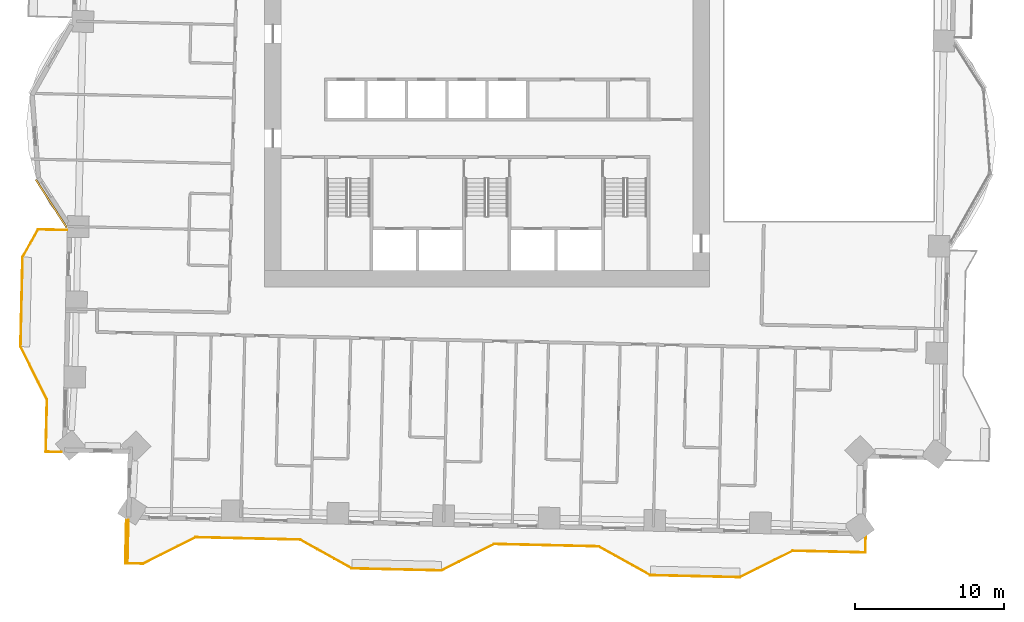
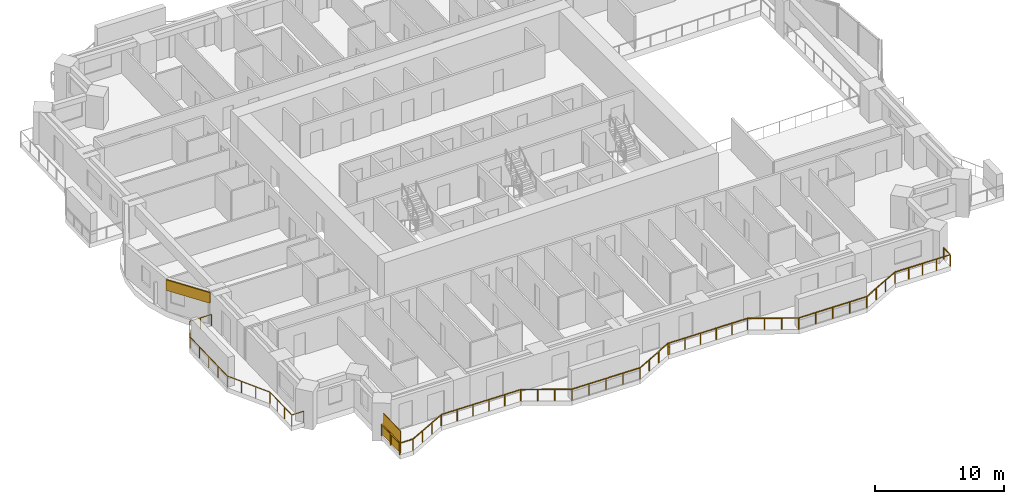
# One storey, part 14 of 18: 2 railings, 1 covering, 1 shading device.
"""IFC4 building model written with IfcOpenShell, lengths in metres."""

import ifcopenshell
import ifcopenshell.guid

model = None  # the IFC model being written
_history = None  # IfcOwnerHistory: only IFC2X3 demands one
_inside = {}  # id of a spatial element -> (the spatial element, [elements in it])
_under = {}  # id of a project, library or spatial element -> (it, [spatial elements below it])
_declared = {}  # id of a project -> (the project, [libraries it declares])
_typed = {}  # id of a type object -> (the type object, [elements of that type])
_made_of = {}  # id of a material, layer set ... -> (it, [elements and type objects made of it])


def new_model(schema):
    """Start an empty IFC model of exactly this schema.

    Asked for "IFC4X3", IfcOpenShell would pick the latest addendum, in which some entities
    have other attributes; the version numbers below select the first issue.
    IFC2X3 requires an IfcOwnerHistory on every rooted entity: one is made here for all.
    """
    global model, _history
    if schema == "IFC4X3":
        model = ifcopenshell.file(schema_version=(4, 3, 0, 0))
    else:
        model = ifcopenshell.file(schema=schema)
    _inside.clear()
    _under.clear()
    _declared.clear()
    _typed.clear()
    _made_of.clear()
    _history = None
    if model.schema == "IFC2X3":
        org = make("IfcOrganization", Name="unknown")
        user = make(
            "IfcPersonAndOrganization",
            ThePerson=make("IfcPerson", FamilyName="unknown"),
            TheOrganization=org,
        )
        app = make(
            "IfcApplication",
            ApplicationDeveloper=org,
            Version="unknown",
            ApplicationFullName="unknown",
            ApplicationIdentifier="unknown",
        )
        _history = make(
            "IfcOwnerHistory",
            OwningUser=user,
            OwningApplication=app,
            ChangeAction="ADDED",
            CreationDate=0,
        )
    return model


def make(cls, **values):
    """One entity of the class cls with the attributes given. An attribute that is None is left unset."""
    return model.create_entity(
        cls, **{name: value for name, value in values.items() if value is not None}
    )


def rooted(cls, **values):
    """An entity with a GlobalId (a new one), such as an element, a storey or a relation."""
    return make(cls, GlobalId=ifcopenshell.guid.new(), OwnerHistory=_history, **values)


def si_unit(unit_type, name, prefix=None):
    """IfcSIUnit, for example si_unit("LENGTHUNIT", "METRE", prefix="MILLI")."""
    return make("IfcSIUnit", UnitType=unit_type, Prefix=prefix, Name=name)


def assignment(units):
    """IfcUnitAssignment: the units of a project."""
    return None if units is None else make("IfcUnitAssignment", Units=units)


def point(xyz):
    """IfcCartesianPoint."""
    return None if xyz is None else make("IfcCartesianPoint", Coordinates=xyz)


def direction(xyz):
    """IfcDirection."""
    return None if xyz is None else make("IfcDirection", DirectionRatios=xyz)


def frame(location, z_axis=None, x_axis=None):
    """IfcAxis2Placement3D, a coordinate frame: its origin and axes. An axis left out is left unset."""
    return make(
        "IfcAxis2Placement3D",
        Location=point(location),
        Axis=direction(z_axis),
        RefDirection=direction(x_axis),
    )


def frame_2d(location, x_axis=None):
    """IfcAxis2Placement2D, a coordinate frame in the plane: its origin and x axis."""
    return make(
        "IfcAxis2Placement2D", Location=point(location), RefDirection=direction(x_axis)
    )


def origin():
    """The frame at (0, 0, 0) with its axes left unset."""
    return frame((0.0, 0.0, 0.0))


def origin_2d():
    """The frame at (0, 0) in the plane with its x axis left unset."""
    return frame_2d((0.0, 0.0))


def place(relative_to, where):
    """IfcLocalPlacement: puts the frame where relative to a parent placement (None: the world)."""
    return make(
        "IfcLocalPlacement", PlacementRelTo=relative_to, RelativePlacement=where
    )


def context(
    kind, dimensions, precision=None, world=None, true_north=None, identifier=None
):
    """IfcGeometricRepresentationContext, for example the 3D "Model" context."""
    return make(
        "IfcGeometricRepresentationContext",
        ContextIdentifier=identifier,
        ContextType=kind,
        CoordinateSpaceDimension=dimensions,
        Precision=precision,
        WorldCoordinateSystem=world,
        TrueNorth=true_north,
    )


def subcontext(parent, identifier, kind, view, scale=None):
    """IfcGeometricRepresentationSubContext, for example "Body" below "Model"."""
    return make(
        "IfcGeometricRepresentationSubContext",
        ContextIdentifier=identifier,
        ContextType=kind,
        ParentContext=parent,
        TargetScale=scale,
        TargetView=view,
    )


def project(units=None, contexts=None):
    """IfcProject with its units and contexts."""
    return rooted(
        "IfcProject",
        Name="project",
        RepresentationContexts=contexts,
        UnitsInContext=assignment(units),
    )


def spatial(cls, under=None, at=None, **own):
    """A site, building, storey or space (cls), placed at a placement, below another one or the project."""
    s = rooted(cls, ObjectPlacement=at, **own)
    if under is not None:
        _under.setdefault(under.id(), (under, []))[1].append(s)
    return s


def profile(cls, at=None, kind="AREA", **sizes):
    """A parametric profile (cls). Its sizes go by their IFC names, for example OverallWidth=200.0."""
    return make(cls, ProfileType=kind, Position=at, **sizes)


def rectangle(**sizes):
    """IfcRectangleProfileDef."""
    return profile("IfcRectangleProfileDef", **sizes)


def extrude(swept, where, along, depth):
    """IfcExtrudedAreaSolid: the profile swept, set in the frame where, extruded along a direction by depth."""
    return make(
        "IfcExtrudedAreaSolid",
        SweptArea=swept,
        Position=where,
        ExtrudedDirection=direction(along),
        Depth=depth,
    )


def shape(context_of_items, identifier, shape_type, items):
    """IfcShapeRepresentation: the items that make up one representation, for example the "Body"."""
    return make(
        "IfcShapeRepresentation",
        ContextOfItems=context_of_items,
        RepresentationIdentifier=identifier,
        RepresentationType=shape_type,
        Items=items,
    )


def material(Name=None, Category=None):
    """IfcMaterial."""
    return make("IfcMaterial", Name=Name, Category=Category)


def layer(
    of_material, thickness, ventilated=None, Name=None, Category=None, Priority=None
):
    """IfcMaterialLayer: one layer of a wall or slab, of a material (None: an air gap)."""
    return make(
        "IfcMaterialLayer",
        Material=of_material,
        LayerThickness=thickness,
        IsVentilated=ventilated,
        Name=Name,
        Category=Category,
        Priority=Priority,
    )


def layer_set(layers, Name=None):
    """IfcMaterialLayerSet."""
    return make("IfcMaterialLayerSet", MaterialLayers=layers, LayerSetName=Name)


def made_of(thing, what):
    """Note that an element or type object is made of a material, layer set ...; save() writes the relation."""
    if what is not None:
        _made_of.setdefault(what.id(), (what, []))[1].append(thing)
    return thing


def type_object(cls, material=None, **own):
    """A type object (cls), such as IfcWallType, which elements share."""
    return made_of(rooted(cls, **own), material)


def element(
    cls,
    number,
    at=None,
    inside=None,
    cuts=None,
    type_object=None,
    material=None,
    context=None,
    identifier="Body",
    shape_type=None,
    held_by="IfcProductDefinitionShape",
    body=None,
    shapes=None,
    **own,
):
    """One element of the class cls, such as IfcWall. Its Tag is "e" and its number.

    at: its placement. inside: the storey or other place that contains it. cuts: it is an
    opening in that element (IfcRelVoidsElement). A single representation is given by context,
    identifier, shape_type and body (its items); several are given by shapes. held_by: the class
    of the entity that holds the representations. save() writes the other relations.
    """
    e = rooted(cls, Tag="e%d" % number, ObjectPlacement=at, **own)
    if body is not None:
        shapes = [shape(context, identifier, shape_type, body)]
    if shapes is not None:
        e.Representation = make(held_by, Representations=shapes)
    if inside is not None:
        _inside.setdefault(inside.id(), (inside, []))[1].append(e)
    if cuts is not None:
        rooted(
            "IfcRelVoidsElement", RelatingBuildingElement=cuts, RelatedOpeningElement=e
        )
    if type_object is not None:
        _typed.setdefault(type_object.id(), (type_object, []))[1].append(e)
    return made_of(e, material)


def aggregate(whole, parts):
    """IfcRelAggregates: a whole, such as a stair, and the parts it consists of."""
    return rooted("IfcRelAggregates", RelatingObject=whole, RelatedObjects=parts)


def save(model, path):
    """Write the relations noted so far, then the file.

    IfcRelAggregates (storeys below a building ...), IfcRelContainedInSpatialStructure (elements
    in a storey), IfcRelDefinesByType, IfcRelAssociatesMaterial and IfcRelDeclares: one each for
    every whole, place, type object, material and project.
    """
    for whole, parts in _under.values():
        aggregate(whole, parts)
    for where, things in _inside.values():
        rooted(
            "IfcRelContainedInSpatialStructure",
            RelatedElements=things,
            RelatingStructure=where,
        )
    for kind, things in _typed.values():
        rooted("IfcRelDefinesByType", RelatedObjects=things, RelatingType=kind)
    for what, things in _made_of.values():
        rooted("IfcRelAssociatesMaterial", RelatedObjects=things, RelatingMaterial=what)
    for by, libraries in _declared.values():
        rooted("IfcRelDeclares", RelatingContext=by, RelatedDefinitions=libraries)
    model.write(path)


model = new_model("IFC4")

# Units and contexts
model_context = context("Model", 3, precision=1e-05, world=origin(), true_north=direction((0.0, 1.0)))
body_context = subcontext(model_context, "Body", "Model", "MODEL_VIEW")
ifc_project = project(units=[si_unit("LENGTHUNIT", "METRE"), si_unit("AREAUNIT", "SQUARE_METRE"), si_unit("VOLUMEUNIT", "CUBIC_METRE"), si_unit("PLANEANGLEUNIT", "RADIAN"), si_unit("MASSUNIT", "GRAM", prefix="KILO")], contexts=[model_context])

# Site, building, storey
site_placement = place(None, origin())
site = spatial("IfcSite", under=ifc_project, at=site_placement, CompositionType="ELEMENT")
building_placement = place(site_placement, origin())
building = spatial("IfcBuilding", under=site, at=building_placement, Name="Mangrove Gate Tower", CompositionType="ELEMENT")
storey_placement = place(building_placement, frame((0.0, 0.0, 71.10009765625)))
storey = spatial("IfcBuildingStorey", under=building, at=storey_placement, Name="L17", CompositionType="ELEMENT", Elevation=71.10009765625)

# Railings
ifc_material_1 = material(Name="Stainless steel grade 316 with laminated glass infill", Category="steel")
railing_type = type_object("IfcRailingType", Name="Balcony guard 1100", PredefinedType="GUARDRAIL", material=ifc_material_1)
railing_1_placement = place(storey_placement, frame((-28.162109375, -8.10205078125, 0.0)))
element("IfcRailing", 1, at=railing_1_placement, inside=storey, type_object=railing_type, Name="GUARD L17 W2", PredefinedType="GUARDRAIL", context=body_context, shape_type="SweptSolid", body=[
    extrude(rectangle(XDim=0.048095703125, YDim=0.048095703125, at=origin_2d()), frame((0.0, 0.0, 1.076171875), z_axis=(-0.999737880615, 0.022894760625, 0.0), x_axis=(-0.022894760625, -0.999737880615, 0.0)), (0.0, 0.0, 1.0), 1.91943359375),
    extrude(rectangle(XDim=0.048095703125, YDim=0.048095703125, at=origin_2d()), frame((-1.9189453125, 0.0439453125, 1.076171875), z_axis=(-0.487147690962, -0.873319601973, 0.0), x_axis=(0.873319601973, -0.487147690962, 0.0)), (0.0, 0.0, 1.0), 2.120361328125),
    extrude(rectangle(XDim=0.048095703125, YDim=0.048095703125, at=origin_2d()), frame((-2.951904296875, -1.807861328125, 1.076171875), z_axis=(-0.022665943652, -0.999743094499, 0.0), x_axis=(0.999743094499, -0.022665943652, 0.0)), (0.0, 0.0, 1.0), 5.99951171875),
    extrude(rectangle(XDim=0.048095703125, YDim=0.048095703125, at=origin_2d()), frame((-3.087890625, -7.805908203125, 1.076171875), z_axis=(0.447016280881, -0.894525821107, 0.0), x_axis=(0.894525821107, 0.447016280881, 0.0)), (0.0, 0.0, 1.0), 3.959716796875),
    extrude(rectangle(XDim=0.048095703125, YDim=0.048095703125, at=origin_2d()), frame((-1.31787109375, -11.347900390625, 1.076171875), z_axis=(-0.022600979566, -0.999744565238, 0.0), x_axis=(0.999744565238, -0.022600979566, 0.0)), (0.0, 0.0, 1.0), 3.5),
    extrude(rectangle(XDim=0.048095703125, YDim=0.048095703125, at=origin_2d()), frame((-1.39697265625, -14.846923828125, 1.076171875), z_axis=(0.999744919731, -0.022585293253, 0.0), x_axis=(0.022585293253, 0.999744919731, 0.0)), (0.0, 0.0, 1.0), 1.059326171875),
    extrude(rectangle(XDim=0.0419921875, YDim=0.0419921875, at=origin_2d()), origin(), (0.0, 0.0, 1.0), 1.052001953125),
    extrude(rectangle(XDim=0.0419921875, YDim=0.0419921875, at=origin_2d()), frame((-0.95947265625, 0.02197265625, 0.0)), (0.0, 0.0, 1.0), 1.052001953125),
    extrude(rectangle(XDim=0.0419921875, YDim=0.0419921875, at=origin_2d()), frame((-1.9189453125, 0.0439453125, 0.0)), (0.0, 0.0, 1.0), 1.052001953125),
    extrude(rectangle(XDim=0.0419921875, YDim=0.0419921875, at=origin_2d()), frame((-2.435546875, -0.8818359375, 0.0)), (0.0, 0.0, 1.0), 1.052001953125),
    extrude(rectangle(XDim=0.0419921875, YDim=0.0419921875, at=origin_2d()), frame((-2.951904296875, -1.807861328125, 0.0)), (0.0, 0.0, 1.0), 1.052001953125),
    extrude(rectangle(XDim=0.0419921875, YDim=0.0419921875, at=origin_2d()), frame((-2.98583984375, -3.307373046875, 0.0)), (0.0, 0.0, 1.0), 1.052001953125),
    extrude(rectangle(XDim=0.0419921875, YDim=0.0419921875, at=origin_2d()), frame((-3.02001953125, -4.806884765625, 0.0)), (0.0, 0.0, 1.0), 1.052001953125),
    extrude(rectangle(XDim=0.0419921875, YDim=0.0419921875, at=origin_2d()), frame((-3.053955078125, -6.306396484375, 0.0)), (0.0, 0.0, 1.0), 1.052001953125),
    extrude(rectangle(XDim=0.0419921875, YDim=0.0419921875, at=origin_2d()), frame((-3.087890625, -7.805908203125, 0.0)), (0.0, 0.0, 1.0), 1.052001953125),
    extrude(rectangle(XDim=0.0419921875, YDim=0.0419921875, at=origin_2d()), frame((-2.497802734375, -8.986572265625, 0.0)), (0.0, 0.0, 1.0), 1.052001953125),
    extrude(rectangle(XDim=0.0419921875, YDim=0.0419921875, at=origin_2d()), frame((-1.907958984375, -10.167236328125, 0.0)), (0.0, 0.0, 1.0), 1.052001953125),
    extrude(rectangle(XDim=0.0419921875, YDim=0.0419921875, at=origin_2d()), frame((-1.31787109375, -11.347900390625, 0.0)), (0.0, 0.0, 1.0), 1.052001953125),
    extrude(rectangle(XDim=0.0419921875, YDim=0.0419921875, at=origin_2d()), frame((-1.34423828125, -12.51416015625, 0.0)), (0.0, 0.0, 1.0), 1.052001953125),
    extrude(rectangle(XDim=0.0419921875, YDim=0.0419921875, at=origin_2d()), frame((-1.37060546875, -13.6806640625, 0.0)), (0.0, 0.0, 1.0), 1.052001953125),
    extrude(rectangle(XDim=0.0419921875, YDim=0.0419921875, at=origin_2d()), frame((-1.39697265625, -14.846923828125, 0.0)), (0.0, 0.0, 1.0), 1.052001953125),
    extrude(rectangle(XDim=0.0419921875, YDim=0.0419921875, at=origin_2d()), frame((-0.337890625, -14.870849609375, 0.0)), (0.0, 0.0, 1.0), 1.052001953125),
])
railing_2_placement = place(storey_placement, frame((-24.160888671875, -27.511962890625, 0.0)))
element("IfcRailing", 2, at=railing_2_placement, inside=storey, type_object=railing_type, Name="GUARD L17 S1", PredefinedType="GUARDRAIL", context=body_context, shape_type="SweptSolid", body=[
    extrude(rectangle(XDim=0.048095703125, YDim=0.048095703125, at=origin_2d()), frame((0.0, 0.0, 1.076171875), z_axis=(-0.022738559105, -0.99974144554, 0.0), x_axis=(0.99974144554, -0.022738559105, 0.0)), (0.0, 0.0, 1.0), 2.90966796875),
    extrude(rectangle(XDim=0.048095703125, YDim=0.048095703125, at=origin_2d()), frame((-0.066162109375, -2.908935546875, 1.076171875), z_axis=(0.999730483991, -0.023215498687, 0.0), x_axis=(0.023215498687, 0.999730483991, 0.0)), (0.0, 0.0, 1.0), 1.167236328125),
    extrude(rectangle(XDim=0.048095703125, YDim=0.048095703125, at=origin_2d()), frame((1.100830078125, -2.93603515625, 1.076171875), z_axis=(0.894476522376, 0.447114919141, 0.0), x_axis=(-0.447114919141, 0.894476522376, 0.0)), (0.0, 0.0, 1.0), 3.958740234375),
    extrude(rectangle(XDim=0.048095703125, YDim=0.048095703125, at=origin_2d()), frame((4.641845703125, -1.166015625, 1.076171875), z_axis=(0.999742267452, -0.022702393474, 0.0), x_axis=(0.022702393474, 0.999742267452, 0.0)), (0.0, 0.0, 1.0), 7.000732421875),
    extrude(rectangle(XDim=0.048095703125, YDim=0.048095703125, at=origin_2d()), frame((11.640869140625, -1.324951171875, 1.076171875), z_axis=(0.873230657876, -0.487307108654, 0.0), x_axis=(0.487307108654, 0.873230657876, 0.0)), (0.0, 0.0, 1.0), 3.958984375),
    extrude(rectangle(XDim=0.048095703125, YDim=0.048095703125, at=origin_2d()), frame((15.097900390625, -3.254150390625, 1.076171875), z_axis=(0.999743094499, -0.022665943652, 0.0), x_axis=(0.022665943652, 0.999743094499, 0.0)), (0.0, 0.0, 1.0), 5.99951171875),
    extrude(rectangle(XDim=0.048095703125, YDim=0.048095703125, at=origin_2d()), frame((21.095947265625, -3.39013671875, 1.076171875), z_axis=(0.894476522376, 0.447114919141, 0.0), x_axis=(-0.447114919141, 0.894476522376, 0.0)), (0.0, 0.0, 1.0), 3.958740234375),
    extrude(rectangle(XDim=0.048095703125, YDim=0.048095703125, at=origin_2d()), frame((24.636962890625, -1.6201171875, 1.076171875), z_axis=(0.999808759986, -0.019556161565, 0.0), x_axis=(0.019556161565, 0.999808759986, 0.0)), (0.0, 0.0, 1.0), 0.099853515625),
    extrude(rectangle(XDim=0.048095703125, YDim=0.048095703125, at=origin_2d()), frame((24.73681640625, -1.6220703125, 1.076171875), z_axis=(0.999744440732, -0.022606486345, 0.0), x_axis=(0.022606486345, 0.999744440732, 0.0)), (0.0, 0.0, 1.0), 6.90087890625),
    extrude(rectangle(XDim=0.048095703125, YDim=0.048095703125, at=origin_2d()), frame((31.635986328125, -1.778076171875, 1.076171875), z_axis=(0.873242256246, -0.487286324359, 0.0), x_axis=(0.487286324359, 0.873242256246, 0.0)), (0.0, 0.0, 1.0), 3.95849609375),
    extrude(rectangle(XDim=0.048095703125, YDim=0.048095703125, at=origin_2d()), frame((35.0927734375, -3.70703125, 1.076171875), z_axis=(0.999743094499, -0.022665943652, 0.0), x_axis=(0.022665943652, 0.999743094499, 0.0)), (0.0, 0.0, 1.0), 5.99951171875),
    extrude(rectangle(XDim=0.048095703125, YDim=0.048095703125, at=origin_2d()), frame((41.0908203125, -3.843017578125, 1.076171875), z_axis=(0.894476522376, 0.447114919141, 0.0), x_axis=(-0.447114919141, 0.894476522376, 0.0)), (0.0, 0.0, 1.0), 3.958740234375),
    extrude(rectangle(XDim=0.048095703125, YDim=0.048095703125, at=origin_2d()), frame((44.6318359375, -2.072998046875, 1.076171875), z_axis=(0.99973963016, -0.022818235853, 0.0), x_axis=(0.022818235853, 0.99973963016, 0.0)), (0.0, 0.0, 1.0), 4.8681640625),
    extrude(rectangle(XDim=0.048095703125, YDim=0.048095703125, at=origin_2d()), frame((49.498779296875, -2.18408203125, 1.076171875), z_axis=(0.022794628443, 0.999740168701, 0.0), x_axis=(-0.999740168701, 0.022794628443, 0.0)), (0.0, 0.0, 1.0), 1.060302734375),
    extrude(rectangle(XDim=0.0419921875, YDim=0.0419921875, at=origin_2d()), origin(), (0.0, 0.0, 1.0), 1.052001953125),
    extrude(rectangle(XDim=0.0419921875, YDim=0.0419921875, at=origin_2d()), frame((-0.033203125, -1.45458984375, 0.0)), (0.0, 0.0, 1.0), 1.052001953125),
    extrude(rectangle(XDim=0.0419921875, YDim=0.0419921875, at=origin_2d()), frame((-0.066162109375, -2.908935546875, 0.0)), (0.0, 0.0, 1.0), 1.052001953125),
    extrude(rectangle(XDim=0.0419921875, YDim=0.0419921875, at=origin_2d()), frame((1.100830078125, -2.93603515625, 0.0)), (0.0, 0.0, 1.0), 1.052001953125),
    extrude(rectangle(XDim=0.0419921875, YDim=0.0419921875, at=origin_2d()), frame((2.28125, -2.345947265625, 0.0)), (0.0, 0.0, 1.0), 1.052001953125),
    extrude(rectangle(XDim=0.0419921875, YDim=0.0419921875, at=origin_2d()), frame((3.46142578125, -1.756103515625, 0.0)), (0.0, 0.0, 1.0), 1.052001953125),
    extrude(rectangle(XDim=0.0419921875, YDim=0.0419921875, at=origin_2d()), frame((4.641845703125, -1.166015625, 0.0)), (0.0, 0.0, 1.0), 1.052001953125),
    extrude(rectangle(XDim=0.0419921875, YDim=0.0419921875, at=origin_2d()), frame((6.041748046875, -1.19775390625, 0.0)), (0.0, 0.0, 1.0), 1.052001953125),
    extrude(rectangle(XDim=0.0419921875, YDim=0.0419921875, at=origin_2d()), frame((7.44140625, -1.2294921875, 0.0)), (0.0, 0.0, 1.0), 1.052001953125),
    extrude(rectangle(XDim=0.0419921875, YDim=0.0419921875, at=origin_2d()), frame((8.84130859375, -1.261474609375, 0.0)), (0.0, 0.0, 1.0), 1.052001953125),
    extrude(rectangle(XDim=0.0419921875, YDim=0.0419921875, at=origin_2d()), frame((10.240966796875, -1.293212890625, 0.0)), (0.0, 0.0, 1.0), 1.052001953125),
    extrude(rectangle(XDim=0.0419921875, YDim=0.0419921875, at=origin_2d()), frame((11.640869140625, -1.324951171875, 0.0)), (0.0, 0.0, 1.0), 1.052001953125),
    extrude(rectangle(XDim=0.0419921875, YDim=0.0419921875, at=origin_2d()), frame((12.793212890625, -1.968017578125, 0.0)), (0.0, 0.0, 1.0), 1.052001953125),
    extrude(rectangle(XDim=0.0419921875, YDim=0.0419921875, at=origin_2d()), frame((13.945556640625, -2.611083984375, 0.0)), (0.0, 0.0, 1.0), 1.052001953125),
    extrude(rectangle(XDim=0.0419921875, YDim=0.0419921875, at=origin_2d()), frame((15.097900390625, -3.254150390625, 0.0)), (0.0, 0.0, 1.0), 1.052001953125),
    extrude(rectangle(XDim=0.0419921875, YDim=0.0419921875, at=origin_2d()), frame((16.597412109375, -3.2880859375, 0.0)), (0.0, 0.0, 1.0), 1.052001953125),
    extrude(rectangle(XDim=0.0419921875, YDim=0.0419921875, at=origin_2d()), frame((18.096923828125, -3.322265625, 0.0)), (0.0, 0.0, 1.0), 1.052001953125),
    extrude(rectangle(XDim=0.0419921875, YDim=0.0419921875, at=origin_2d()), frame((19.596435546875, -3.356201171875, 0.0)), (0.0, 0.0, 1.0), 1.052001953125),
    extrude(rectangle(XDim=0.0419921875, YDim=0.0419921875, at=origin_2d()), frame((21.095947265625, -3.39013671875, 0.0)), (0.0, 0.0, 1.0), 1.052001953125),
    extrude(rectangle(XDim=0.0419921875, YDim=0.0419921875, at=origin_2d()), frame((22.2763671875, -2.800048828125, 0.0)), (0.0, 0.0, 1.0), 1.052001953125),
    extrude(rectangle(XDim=0.0419921875, YDim=0.0419921875, at=origin_2d()), frame((23.45654296875, -2.210205078125, 0.0)), (0.0, 0.0, 1.0), 1.052001953125),
    extrude(rectangle(XDim=0.0419921875, YDim=0.0419921875, at=origin_2d()), frame((24.636962890625, -1.6201171875, 0.0)), (0.0, 0.0, 1.0), 1.052001953125),
    extrude(rectangle(XDim=0.0419921875, YDim=0.0419921875, at=origin_2d()), frame((24.73681640625, -1.6220703125, 0.0)), (0.0, 0.0, 1.0), 1.052001953125),
    extrude(rectangle(XDim=0.0419921875, YDim=0.0419921875, at=origin_2d()), frame((26.11669921875, -1.6533203125, 0.0)), (0.0, 0.0, 1.0), 1.052001953125),
    extrude(rectangle(XDim=0.0419921875, YDim=0.0419921875, at=origin_2d()), frame((27.49658203125, -1.6845703125, 0.0)), (0.0, 0.0, 1.0), 1.052001953125),
    extrude(rectangle(XDim=0.0419921875, YDim=0.0419921875, at=origin_2d()), frame((28.876220703125, -1.715576171875, 0.0)), (0.0, 0.0, 1.0), 1.052001953125),
    extrude(rectangle(XDim=0.0419921875, YDim=0.0419921875, at=origin_2d()), frame((30.256103515625, -1.746826171875, 0.0)), (0.0, 0.0, 1.0), 1.052001953125),
    extrude(rectangle(XDim=0.0419921875, YDim=0.0419921875, at=origin_2d()), frame((31.635986328125, -1.778076171875, 0.0)), (0.0, 0.0, 1.0), 1.052001953125),
    extrude(rectangle(XDim=0.0419921875, YDim=0.0419921875, at=origin_2d()), frame((32.788330078125, -2.421142578125, 0.0)), (0.0, 0.0, 1.0), 1.052001953125),
    extrude(rectangle(XDim=0.0419921875, YDim=0.0419921875, at=origin_2d()), frame((33.9404296875, -3.06396484375, 0.0)), (0.0, 0.0, 1.0), 1.052001953125),
    extrude(rectangle(XDim=0.0419921875, YDim=0.0419921875, at=origin_2d()), frame((35.0927734375, -3.70703125, 0.0)), (0.0, 0.0, 1.0), 1.052001953125),
    extrude(rectangle(XDim=0.0419921875, YDim=0.0419921875, at=origin_2d()), frame((36.59228515625, -3.740966796875, 0.0)), (0.0, 0.0, 1.0), 1.052001953125),
    extrude(rectangle(XDim=0.0419921875, YDim=0.0419921875, at=origin_2d()), frame((38.091796875, -3.77490234375, 0.0)), (0.0, 0.0, 1.0), 1.052001953125),
    extrude(rectangle(XDim=0.0419921875, YDim=0.0419921875, at=origin_2d()), frame((39.59130859375, -3.80908203125, 0.0)), (0.0, 0.0, 1.0), 1.052001953125),
    extrude(rectangle(XDim=0.0419921875, YDim=0.0419921875, at=origin_2d()), frame((41.0908203125, -3.843017578125, 0.0)), (0.0, 0.0, 1.0), 1.052001953125),
    extrude(rectangle(XDim=0.0419921875, YDim=0.0419921875, at=origin_2d()), frame((42.271240234375, -3.2529296875, 0.0)), (0.0, 0.0, 1.0), 1.052001953125),
    extrude(rectangle(XDim=0.0419921875, YDim=0.0419921875, at=origin_2d()), frame((43.451416015625, -2.6630859375, 0.0)), (0.0, 0.0, 1.0), 1.052001953125),
    extrude(rectangle(XDim=0.0419921875, YDim=0.0419921875, at=origin_2d()), frame((44.6318359375, -2.072998046875, 0.0)), (0.0, 0.0, 1.0), 1.052001953125),
    extrude(rectangle(XDim=0.0419921875, YDim=0.0419921875, at=origin_2d()), frame((45.8486328125, -2.100830078125, 0.0)), (0.0, 0.0, 1.0), 1.052001953125),
    extrude(rectangle(XDim=0.0419921875, YDim=0.0419921875, at=origin_2d()), frame((47.0654296875, -2.12841796875, 0.0)), (0.0, 0.0, 1.0), 1.052001953125),
    extrude(rectangle(XDim=0.0419921875, YDim=0.0419921875, at=origin_2d()), frame((48.281982421875, -2.15625, 0.0)), (0.0, 0.0, 1.0), 1.052001953125),
    extrude(rectangle(XDim=0.0419921875, YDim=0.0419921875, at=origin_2d()), frame((49.498779296875, -2.18408203125, 0.0)), (0.0, 0.0, 1.0), 1.052001953125),
    extrude(rectangle(XDim=0.0419921875, YDim=0.0419921875, at=origin_2d()), frame((49.52294921875, -1.1240234375, 0.0)), (0.0, 0.0, 1.0), 1.052001953125),
])

# Shading device
ifc_material_2 = material(Name="Timber slat screen in teak", Category="wood")
shading_device_type = type_object("IfcShadingDeviceType", Name="Balcony screen 2100", PredefinedType="USERDEFINED", material=ifc_material_2)
shading_device_placement = place(storey_placement, frame((-24.052001953125, -28.889892578125, -0.000244140625), z_axis=(0.0, 0.0, 1.0), x_axis=(-0.022739679942, -0.999741420046, 0.0)))
element("IfcShadingDevice", 3, at=shading_device_placement, inside=storey, type_object=shading_device_type, Name="SCREEN L17 S0", ObjectType="SCREEN", PredefinedType="USERDEFINED", context=body_context, shape_type="SweptSolid", body=[
    extrude(rectangle(XDim=2.7900390625, YDim=0.050048828125, at=origin_2d()), origin(), (0.0, 0.0, 1.0), 2.10009765625),
])

# Covering
ifc_material_3 = material(Name="Limestone", Category="masonry")
ifc_layer_1 = layer(ifc_material_3, 0.0400390625, Name="Limestone cladding")
ifc_material_4 = material(Name="Stainless steel anchors and cavity", Category="steel")
ifc_layer_2 = layer(ifc_material_4, 0.080078125, Name="Fixing cavity")
ifc_layer_set = layer_set([ifc_layer_1, ifc_layer_2], Name="Joint fascia cladding 120")
covering_type = type_object("IfcCoveringType", Name="Joint fascia cladding 120", PredefinedType="CLADDING", material=ifc_layer_set)
covering_placement = place(storey_placement, frame((-30.22607421875, -4.718994140625, 2.0498046875), z_axis=(0.0, 0.0, 1.0), x_axis=(0.540486138148, -0.841352919095, 0.0)))
element("IfcCovering", 4, at=covering_placement, inside=storey, type_object=covering_type, Name="STONE FASCIA L17 W9.L2", PredefinedType="CLADDING", context=body_context, shape_type="SweptSolid", body=[
    extrude(rectangle(XDim=3.818603515625, YDim=0.1201171875, at=frame_2d((1.9091796875, 0.0))), origin(), (0.0, 0.0, 1.0), 1.0),
])

save(model, "model.ifc")
